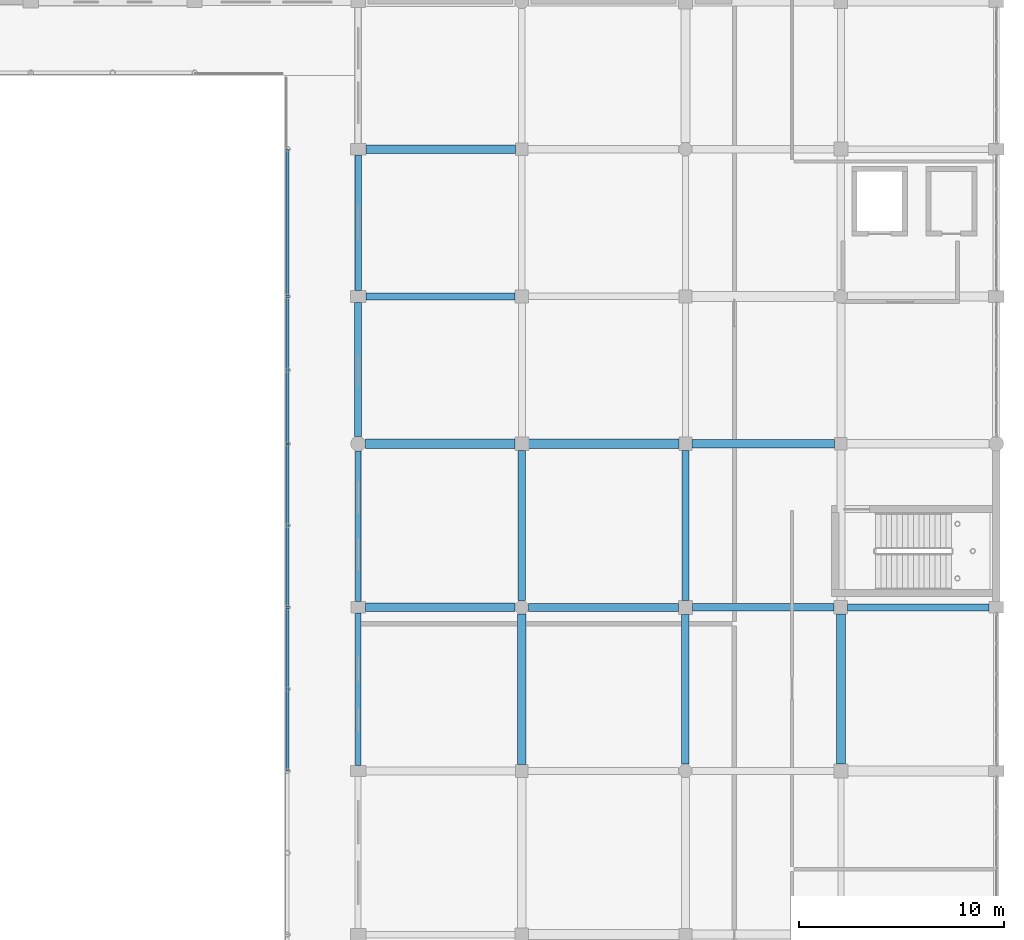
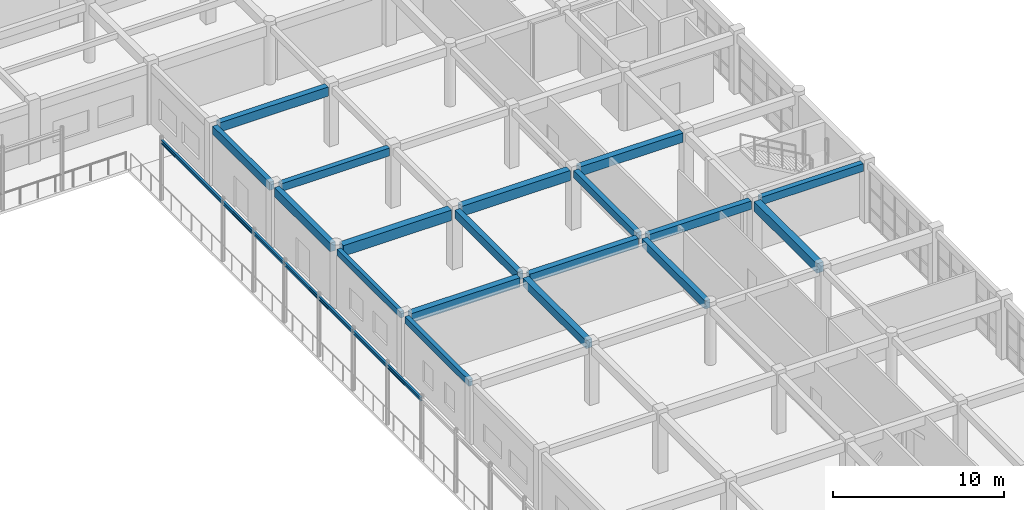
# One storey, part 97 of 160: 22 beams.
"""IFC4 building model written with IfcOpenShell, lengths in metres."""

from ifc_helpers import new_model, si_unit, direction, frame, origin, origin_2d, place, context, subcontext, project, spatial, rectangle, i_section, extrude, material, material_profile, profile_set, type_object, element, save


model = new_model("IFC4")

# Units and contexts
model_context = context("Model", 3, precision=1e-05, world=origin(), true_north=direction((0.0, 1.0)))
body_context = subcontext(model_context, "Body", "Model", "MODEL_VIEW")
ifc_project = project(units=[si_unit("LENGTHUNIT", "METRE"), si_unit("AREAUNIT", "SQUARE_METRE"), si_unit("VOLUMEUNIT", "CUBIC_METRE"), si_unit("PLANEANGLEUNIT", "RADIAN"), si_unit("MASSUNIT", "GRAM", prefix="KILO")], contexts=[model_context])

# Site, building, storey
site_placement = place(None, origin())
site = spatial("IfcSite", under=ifc_project, at=site_placement, CompositionType="ELEMENT")
building_placement = place(site_placement, origin())
building = spatial("IfcBuilding", under=site, at=building_placement, Name="Kharva Crest Polytechnic", CompositionType="ELEMENT")
storey_placement = place(building_placement, frame((0.0, 0.0, 4.5)))
storey = spatial("IfcBuildingStorey", under=building, at=storey_placement, Name="L01", CompositionType="ELEMENT", Elevation=4.5)

# Beams
ifc_material_1 = material(Name="Concrete C35/45", Category="concrete")
ifc_material_profile_1 = material_profile(ifc_material_1, rectangle(XDim=0.340087890625, YDim=0.52001953125, at=origin_2d()), Name="RECT 340 X 520")
ifc_profile_set_1 = profile_set([ifc_material_profile_1], Name="Concrete C35/45")
beam_type_1 = type_object("IfcBeamType", Name="BM-RC-340X520", PredefinedType="BEAM", material=ifc_profile_set_1)
beam_1_placement = place(storey_placement, frame((168.800048828125, 71.139892578125, 3.9599609375), z_axis=(0.0, 1.0, 0.0), x_axis=(-1.0, 0.0, 0.0)))
element("IfcBeam", 1, at=beam_1_placement, inside=storey, type_object=beam_type_1, Name="L01 Girder 22/K-L", PredefinedType="BEAM", context=body_context, shape_type="SweptSolid", body=[
    extrude(rectangle(XDim=0.340087890625, YDim=0.52001953125, at=origin_2d()), origin(), (0.0, 0.0, 1.0), 7.335205078125),
])
ifc_material_profile_2 = material_profile(ifc_material_1, rectangle(XDim=0.35009765625, YDim=0.550048828125, at=origin_2d()), Name="RECT 350 X 550")
ifc_profile_set_2 = profile_set([ifc_material_profile_2], Name="Concrete C35/45")
beam_type_2 = type_object("IfcBeamType", Name="BM-RC-350X550", PredefinedType="BEAM", material=ifc_profile_set_2)
beam_2_placement = place(storey_placement, frame((176.72509765625, 70.800048828125, 3.945068359375), z_axis=(1.0, 0.0, 0.0), x_axis=(0.0, 1.0, 0.0)))
element("IfcBeam", 2, at=beam_2_placement, inside=storey, type_object=beam_type_2, Name="L01 Beam K/23-24", PredefinedType="BEAM", context=body_context, shape_type="SweptSolid", body=[
    extrude(rectangle(XDim=0.35009765625, YDim=0.550048828125, at=origin_2d()), origin(), (0.0, 0.0, 1.0), 6.914794921875),
])
beam_3_placement = place(storey_placement, frame((153.175048828125, 86.0, 3.945068359375), z_axis=(1.0, 0.0, 0.0), x_axis=(0.0, 1.0, 0.0)))
element("IfcBeam", 3, at=beam_3_placement, inside=storey, type_object=beam_type_2, Name="L01 Beam M/20-21", PredefinedType="BEAM", context=body_context, shape_type="SweptSolid", body=[
    extrude(rectangle(XDim=0.35009765625, YDim=0.550048828125, at=origin_2d()), origin(), (0.0, 0.0, 1.0), 7.300048828125),
])
ifc_material_profile_3 = material_profile(ifc_material_1, rectangle(XDim=0.360107421875, YDim=0.580078125, at=origin_2d()), Name="RECT 360 X 580")
ifc_profile_set_3 = profile_set([ifc_material_profile_3], Name="Concrete C35/45")
beam_type_3 = type_object("IfcBeamType", Name="BM-RC-360X580", PredefinedType="BEAM", material=ifc_profile_set_3)
for number, where, z_axis, x_axis, name in (
    (4, (160.800048828125, 71.1298828125, 3.929931640625), (0.0, 1.0, 0.0), (-1.0, 0.0, 0.0), "L01 Girder 21/K-L"),
    (5, (168.800048828125, 63.1298828125, 3.929931640625), (0.0, 1.0, 0.0), (-1.0, 0.0, 0.0), "L01 Girder 22/J-K"),
):
    element("IfcBeam", number, at=place(storey_placement, frame(where, z_axis=z_axis, x_axis=x_axis)), inside=storey, type_object=beam_type_3, Name=name, PredefinedType="BEAM", context=body_context, shape_type="SweptSolid", body=[
        extrude(rectangle(XDim=0.360107421875, YDim=0.580078125, at=origin_2d()), origin(), (0.0, 0.0, 1.0), 7.330078125),
    ])
ifc_material_profile_4 = material_profile(ifc_material_1, rectangle(XDim=0.3798828125, YDim=0.60009765625, at=origin_2d()), Name="RECT 380 X 600")
ifc_profile_set_4 = profile_set([ifc_material_profile_4], Name="Concrete C35/45")
beam_type_4 = type_object("IfcBeamType", Name="BM-RC-380X600", PredefinedType="BEAM", material=ifc_profile_set_4)
beam_4_placement = place(storey_placement, frame((169.139892578125, 70.800048828125, 3.919921875), z_axis=(1.0, 0.0, 0.0), x_axis=(0.0, 1.0, 0.0)))
element("IfcBeam", 6, at=beam_4_placement, inside=storey, type_object=beam_type_4, Name="L01 Beam K/22-23", PredefinedType="BEAM", context=body_context, shape_type="SweptSolid", body=[
    extrude(rectangle(XDim=0.3798828125, YDim=0.60009765625, at=origin_2d()), origin(), (0.0, 0.0, 1.0), 6.93505859375),
])
ifc_material_profile_5 = material_profile(ifc_material_1, rectangle(XDim=0.39990234375, YDim=0.580078125, at=origin_2d()), Name="RECT 400 X 580")
ifc_profile_set_5 = profile_set([ifc_material_profile_5], Name="Concrete C35/45")
beam_type_5 = type_object("IfcBeamType", Name="BM-RC-400X580", PredefinedType="BEAM", material=ifc_profile_set_5)
beam_5_placement = place(storey_placement, frame((160.800048828125, 63.110107421875, 3.929931640625), z_axis=(0.0, 1.0, 0.0), x_axis=(-1.0, 0.0, 0.0)))
element("IfcBeam", 7, at=beam_5_placement, inside=storey, type_object=beam_type_5, Name="L01 Girder 21/J-K", PredefinedType="BEAM", context=body_context, shape_type="SweptSolid", body=[
    extrude(rectangle(XDim=0.39990234375, YDim=0.580078125, at=origin_2d()), origin(), (0.0, 0.0, 1.0), 7.35986328125),
])
ifc_material_profile_6 = material_profile(ifc_material_1, rectangle(XDim=0.39990234375, YDim=0.64990234375, at=origin_2d()), Name="RECT 400 X 650")
ifc_profile_set_6 = profile_set([ifc_material_profile_6], Name="Concrete C35/45")
beam_type_6 = type_object("IfcBeamType", Name="BM-RC-400X650", PredefinedType="BEAM", material=ifc_profile_set_6)
beam_6_placement = place(storey_placement, frame((161.1298828125, 70.800048828125, 3.89501953125), z_axis=(1.0, 0.0, 0.0), x_axis=(0.0, 1.0, 0.0)))
element("IfcBeam", 8, at=beam_6_placement, inside=storey, type_object=beam_type_6, Name="L01 Beam K/21-22", PredefinedType="BEAM", context=body_context, shape_type="SweptSolid", body=[
    extrude(rectangle(XDim=0.39990234375, YDim=0.64990234375, at=origin_2d()), origin(), (0.0, 0.0, 1.0), 7.330078125),
])
beam_7_placement = place(storey_placement, frame((153.175048828125, 93.199951171875, 3.89501953125), z_axis=(1.0, 0.0, 0.0), x_axis=(0.0, 1.0, 0.0)))
element("IfcBeam", 9, at=beam_7_placement, inside=storey, type_object=beam_type_6, Name="L01 Beam N/20-21", PredefinedType="BEAM", context=body_context, shape_type="SweptSolid", body=[
    extrude(rectangle(XDim=0.39990234375, YDim=0.64990234375, at=origin_2d()), origin(), (0.0, 0.0, 1.0), 7.31494140625),
])
ifc_material_profile_7 = material_profile(ifc_material_1, rectangle(XDim=0.419921875, YDim=0.659912109375, at=origin_2d()), Name="RECT 420 X 660")
ifc_profile_set_7 = profile_set([ifc_material_profile_7], Name="Concrete C35/45")
beam_type_7 = type_object("IfcBeamType", Name="BM-RC-420X660", PredefinedType="BEAM", material=ifc_profile_set_7)
beam_8_placement = place(storey_placement, frame((153.159912109375, 70.800048828125, 3.889892578125), z_axis=(1.0, 0.0, 0.0), x_axis=(0.0, 1.0, 0.0)))
element("IfcBeam", 10, at=beam_8_placement, inside=storey, type_object=beam_type_7, Name="L01 Beam K/20-21", PredefinedType="BEAM", context=body_context, shape_type="SweptSolid", body=[
    extrude(rectangle(XDim=0.419921875, YDim=0.659912109375, at=origin_2d()), origin(), (0.0, 0.0, 1.0), 7.31005859375),
])
beam_9_placement = place(storey_placement, frame((169.125, 78.800048828125, 3.889892578125), z_axis=(1.0, 0.0, 0.0), x_axis=(0.0, 1.0, 0.0)))
element("IfcBeam", 11, at=beam_9_placement, inside=storey, type_object=beam_type_7, Name="L01 Beam L/22-23", PredefinedType="BEAM", context=body_context, shape_type="SweptSolid", body=[
    extrude(rectangle(XDim=0.419921875, YDim=0.659912109375, at=origin_2d()), origin(), (0.0, 0.0, 1.0), 6.965087890625),
])
ifc_material_profile_8 = material_profile(ifc_material_1, rectangle(XDim=0.449951171875, YDim=0.679931640625, at=origin_2d()), Name="RECT 450 X 680")
ifc_profile_set_8 = profile_set([ifc_material_profile_8], Name="Concrete C35/45")
beam_type_8 = type_object("IfcBeamType", Name="BM-RC-450X680", PredefinedType="BEAM", material=ifc_profile_set_8)
beam_10_placement = place(storey_placement, frame((176.39990234375, 63.139892578125, 3.8798828125), z_axis=(0.0, 1.0, 0.0), x_axis=(-1.0, 0.0, 0.0)))
element("IfcBeam", 12, at=beam_10_placement, inside=storey, type_object=beam_type_8, Name="L01 Girder 23/J-K", PredefinedType="BEAM", context=body_context, shape_type="SweptSolid", body=[
    extrude(rectangle(XDim=0.449951171875, YDim=0.679931640625, at=origin_2d()), origin(), (0.0, 0.0, 1.0), 7.335205078125),
])
ifc_material_profile_9 = material_profile(ifc_material_1, rectangle(XDim=0.449951171875, YDim=0.719970703125, at=origin_2d()), Name="RECT 450 X 720")
ifc_profile_set_9 = profile_set([ifc_material_profile_9], Name="Concrete C35/45")
beam_type_9 = type_object("IfcBeamType", Name="BM-RC-450X720", PredefinedType="BEAM", material=ifc_profile_set_9)
beam_11_placement = place(storey_placement, frame((161.139892578125, 78.800048828125, 3.860107421875), z_axis=(1.0, 0.0, 0.0), x_axis=(0.0, 1.0, 0.0)))
element("IfcBeam", 13, at=beam_11_placement, inside=storey, type_object=beam_type_9, Name="L01 Beam L/21-22", PredefinedType="BEAM", context=body_context, shape_type="SweptSolid", body=[
    extrude(rectangle(XDim=0.449951171875, YDim=0.719970703125, at=origin_2d()), origin(), (0.0, 0.0, 1.0), 7.335205078125),
])
ifc_material_profile_10 = material_profile(ifc_material_1, rectangle(XDim=0.47998046875, YDim=0.75, at=origin_2d()), Name="RECT 480 X 750")
ifc_profile_set_10 = profile_set([ifc_material_profile_10], Name="Concrete C35/45")
beam_type_10 = type_object("IfcBeamType", Name="BM-RC-480X750", PredefinedType="BEAM", material=ifc_profile_set_10)
beam_12_placement = place(storey_placement, frame((153.159912109375, 78.800048828125, 3.844970703125), z_axis=(1.0, 0.0, 0.0), x_axis=(0.0, 1.0, 0.0)))
element("IfcBeam", 14, at=beam_12_placement, inside=storey, type_object=beam_type_10, Name="L01 Beam L/20-21", PredefinedType="BEAM", context=body_context, shape_type="SweptSolid", body=[
    extrude(rectangle(XDim=0.47998046875, YDim=0.75, at=origin_2d()), origin(), (0.0, 0.0, 1.0), 7.300048828125),
])
ifc_material_2 = material(Name="Steel S355", Category="steel")
ifc_material_profile_11 = material_profile(ifc_material_2, i_section(OverallWidth=0.14599609375, OverallDepth=0.258056640625, WebThickness=0.006103515625, FlangeThickness=0.009033203125, at=origin_2d()), Name="W250X32.7")
ifc_profile_set_11 = profile_set([ifc_material_profile_11], Name="Steel S355")
beam_type_11 = type_object("IfcBeamType", Name="BM-STL-W250X32", PredefinedType="BEAM", material=ifc_profile_set_11)
for number, where, z_axis, x_axis, name in (
    (15, (149.35009765625, 62.820068359375, 4.160888671875), (0.0, 1.0, 0.0), (-1.0, 0.0, 0.0), "L01 East Veranda Beam 3"),
    (16, (149.35009765625, 70.820068359375, 4.160888671875), (0.0, 1.0, 0.0), (-1.0, 0.0, 0.0), "L01 East Veranda Beam 4"),
):
    element("IfcBeam", number, at=place(storey_placement, frame(where, z_axis=z_axis, x_axis=x_axis)), inside=storey, type_object=beam_type_11, Name=name, PredefinedType="BEAM", context=body_context, shape_type="SweptSolid", body=[
        extrude(i_section(OverallWidth=0.14599609375, OverallDepth=0.258056640625, WebThickness=0.006103515625, FlangeThickness=0.009033203125, at=origin_2d()), origin(), (0.0, 0.0, 1.0), 7.9599609375),
    ])
for number, where, z_axis, x_axis, name in (
    (17, (149.35009765625, 78.820068359375, 4.160888671875), (0.0, 1.0, 0.0), (-1.0, 0.0, 0.0), "L01 East Veranda Beam 5"),
    (18, (149.35009765625, 86.02001953125, 4.160888671875), (0.0, 1.0, 0.0), (-1.0, 0.0, 0.0), "L01 East Veranda Beam 6"),
):
    element("IfcBeam", number, at=place(storey_placement, frame(where, z_axis=z_axis, x_axis=x_axis)), inside=storey, type_object=beam_type_11, Name=name, PredefinedType="BEAM", context=body_context, shape_type="SweptSolid", body=[
        extrude(i_section(OverallWidth=0.14599609375, OverallDepth=0.258056640625, WebThickness=0.006103515625, FlangeThickness=0.009033203125, at=origin_2d()), origin(), (0.0, 0.0, 1.0), 7.159912109375),
    ])
ifc_material_profile_12 = material_profile(ifc_material_1, rectangle(XDim=0.260009765625, YDim=0.43994140625, at=origin_2d()), Name="RECT 260 X 440")
ifc_profile_set_12 = profile_set([ifc_material_profile_12], Name="Concrete C35/45")
beam_type_12 = type_object("IfcBeamType", Name="SP-RC-260X440", PredefinedType="SPANDREL", material=ifc_profile_set_12)
beam_13_placement = place(storey_placement, frame((152.800048828125, 71.074951171875, 4.0), z_axis=(0.0, 1.0, 0.0), x_axis=(-1.0, 0.0, 0.0)))
element("IfcBeam", 19, at=beam_13_placement, inside=storey, type_object=beam_type_12, Name="L01 Girder 20/K-L", PredefinedType="SPANDREL", context=body_context, shape_type="SweptSolid", body=[
    extrude(rectangle(XDim=0.260009765625, YDim=0.43994140625, at=origin_2d()), origin(), (0.0, 0.0, 1.0), 7.364990234375),
])
ifc_material_profile_13 = material_profile(ifc_material_1, rectangle(XDim=0.280029296875, YDim=0.4599609375, at=origin_2d()), Name="RECT 280 X 460")
ifc_profile_set_13 = profile_set([ifc_material_profile_13], Name="Concrete C35/45")
beam_type_13 = type_object("IfcBeamType", Name="SP-RC-280X460", PredefinedType="SPANDREL", material=ifc_profile_set_13)
beam_14_placement = place(storey_placement, frame((152.800048828125, 63.074951171875, 3.989990234375), z_axis=(0.0, 1.0, 0.0), x_axis=(-1.0, 0.0, 0.0)))
element("IfcBeam", 20, at=beam_14_placement, inside=storey, type_object=beam_type_13, Name="L01 Girder 20/J-K", PredefinedType="SPANDREL", context=body_context, shape_type="SweptSolid", body=[
    extrude(rectangle(XDim=0.280029296875, YDim=0.4599609375, at=origin_2d()), origin(), (0.0, 0.0, 1.0), 7.449951171875),
])
ifc_material_profile_14 = material_profile(ifc_material_1, rectangle(XDim=0.320068359375, YDim=0.580078125, at=origin_2d()), Name="RECT 320 X 580")
ifc_profile_set_14 = profile_set([ifc_material_profile_14], Name="Concrete C35/45")
beam_type_14 = type_object("IfcBeamType", Name="SP-RC-320X580", PredefinedType="SPANDREL", material=ifc_profile_set_14)
beam_15_placement = place(storey_placement, frame((152.800048828125, 86.300048828125, 3.929931640625), z_axis=(0.0, 1.0, 0.0), x_axis=(-1.0, 0.0, 0.0)))
element("IfcBeam", 21, at=beam_15_placement, inside=storey, type_object=beam_type_14, Name="L01 Girder 20/M-N", PredefinedType="SPANDREL", context=body_context, shape_type="SweptSolid", body=[
    extrude(rectangle(XDim=0.320068359375, YDim=0.580078125, at=origin_2d()), origin(), (0.0, 0.0, 1.0), 6.625),
])
ifc_material_profile_15 = material_profile(ifc_material_1, rectangle(XDim=0.35009765625, YDim=0.6201171875, at=origin_2d()), Name="RECT 350 X 620")
ifc_profile_set_15 = profile_set([ifc_material_profile_15], Name="Concrete C35/45")
beam_type_15 = type_object("IfcBeamType", Name="SP-RC-350X620", PredefinedType="SPANDREL", material=ifc_profile_set_15)
beam_16_placement = place(storey_placement, frame((152.800048828125, 79.159912109375, 3.909912109375), z_axis=(0.0, 1.0, 0.0), x_axis=(-1.0, 0.0, 0.0)))
element("IfcBeam", 22, at=beam_16_placement, inside=storey, type_object=beam_type_15, Name="L01 Girder 20/L-M", PredefinedType="SPANDREL", context=body_context, shape_type="SweptSolid", body=[
    extrude(rectangle(XDim=0.35009765625, YDim=0.6201171875, at=origin_2d()), origin(), (0.0, 0.0, 1.0), 6.5400390625),
])

save(model, "model.ifc")
